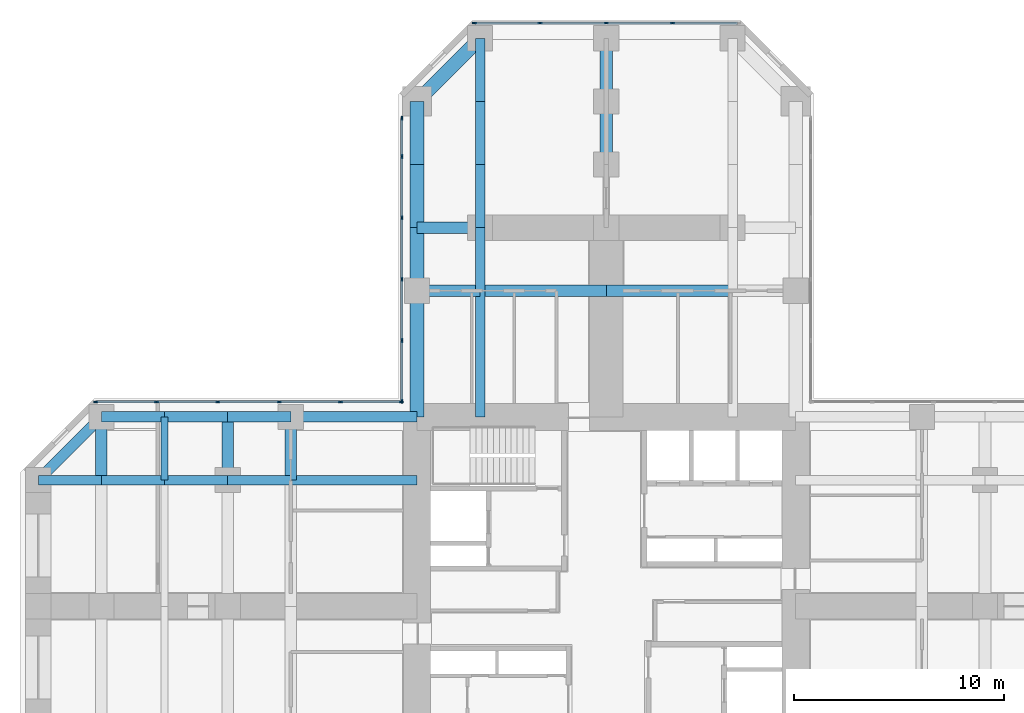
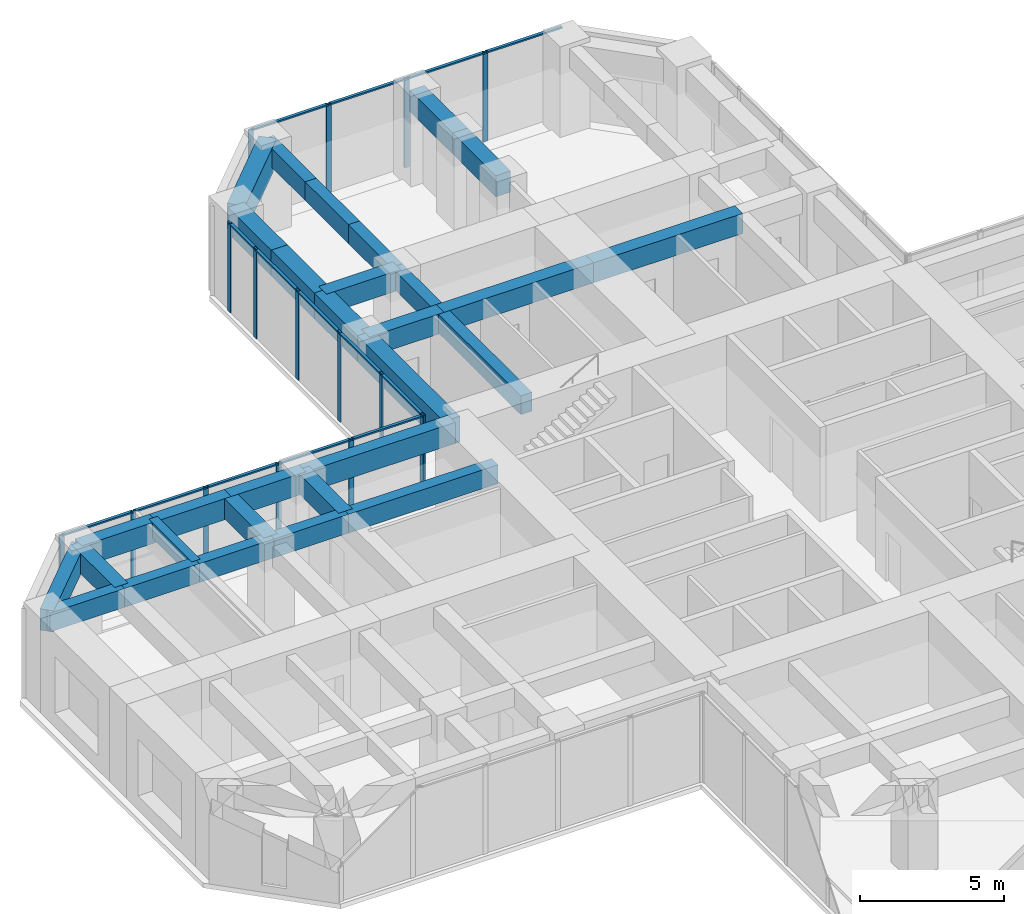
# One storey, part 5 of 12: 30 beams, 30 members, 3 elements without a shape of their own.
"""IFC4 building model written with IfcOpenShell, lengths in metres."""

from ifc_helpers import new_model, si_unit, direction, frame, origin, origin_2d, place, context, subcontext, project, spatial, rectangle, extrude, material, material_profile, profile_set, type_object, element, aggregate, save


model = new_model("IFC4")

# Units and contexts
model_context = context("Model", 3, precision=1e-05, world=origin(), true_north=direction((0.0, 1.0)))
body_context = subcontext(model_context, "Body", "Model", "MODEL_VIEW")
ifc_project = project(units=[si_unit("LENGTHUNIT", "METRE"), si_unit("AREAUNIT", "SQUARE_METRE"), si_unit("VOLUMEUNIT", "CUBIC_METRE"), si_unit("PLANEANGLEUNIT", "RADIAN"), si_unit("MASSUNIT", "GRAM", prefix="KILO")], contexts=[model_context])

# Site, building, storey
site_placement = place(None, origin())
site = spatial("IfcSite", under=ifc_project, at=site_placement, CompositionType="ELEMENT")
building_placement = place(site_placement, origin())
building = spatial("IfcBuilding", under=site, at=building_placement, Name="Torre Cruceta", CompositionType="ELEMENT")
storey_placement = place(building_placement, frame((0.0, 0.0, 87.5)))
storey = spatial("IfcBuildingStorey", under=building, at=storey_placement, Name="L21", CompositionType="ELEMENT", Elevation=87.5)

# Beams
ifc_material_1 = material(Name="Concrete G60 (fck 60 MPa)", Category="concrete")
ifc_material_profile_1 = material_profile(ifc_material_1, rectangle(XDim=0.60009765625, YDim=0.89990234375, at=origin_2d()), Name="RC 600X900")
ifc_profile_set_1 = profile_set([ifc_material_profile_1], Name="Concrete G60 (fck 60 MPa)")
beam_type_1 = type_object("IfcBeamType", Name="ARM CENTRE BEAM RC 600X900", PredefinedType="BEAM", material=ifc_profile_set_1)
for number, where, z_axis, x_axis, name in (
    (1, (0.0, 21.0, 3.35009765625), (0.0, 1.0, 0.0), (-1.0, 0.0, 0.0), "MB3 L21 N centre 1"),
    (2, (0.0, 24.0, 3.35009765625), (0.0, 1.0, 0.0), (-1.0, 0.0, 0.0), "MB3 L21 N centre 2"),
):
    element("IfcBeam", number, at=place(storey_placement, frame(where, z_axis=z_axis, x_axis=x_axis)), inside=storey, type_object=beam_type_1, Name=name, PredefinedType="BEAM", context=body_context, shape_type="SweptSolid", body=[
        extrude(rectangle(XDim=0.60009765625, YDim=0.89990234375, at=origin_2d()), origin(), (0.0, 0.0, 1.0), 3.0),
    ])
ifc_material_2 = material(Name="Concrete G60 (fck 60 MPa)", Category="concrete")
ifc_material_profile_2 = material_profile(ifc_material_2, rectangle(XDim=0.449951171875, YDim=0.800048828125, at=origin_2d()), Name="RC 450X800")
ifc_profile_set_2 = profile_set([ifc_material_profile_2], Name="Concrete G60 (fck 60 MPa)")
beam_type_2 = type_object("IfcBeamType", Name="COLUMN LINE BEAM RC 450X800", PredefinedType="BEAM", material=ifc_profile_set_2)
beam_1_placement = place(storey_placement, frame((-6.0, 9.0, 3.39990234375), z_axis=(0.0, 1.0, 0.0), x_axis=(-1.0, 0.0, 0.0)))
element("IfcBeam", 3, at=beam_1_placement, inside=storey, type_object=beam_type_2, Name="LB1 L21 N col+ 1", PredefinedType="BEAM", context=body_context, shape_type="SweptSolid", body=[
    extrude(rectangle(XDim=0.449951171875, YDim=0.800048828125, at=origin_2d()), origin(), (0.0, 0.0, 1.0), 6.0),
])
for number, where, z_axis, x_axis, name in (
    (4, (-6.0, 15.0, 3.39990234375), (0.0, 1.0, 0.0), (-1.0, 0.0, 0.0), "LB1 L21 N col+ 2"),
    (5, (-6.0, 18.0, 3.39990234375), (0.0, 1.0, 0.0), (-1.0, 0.0, 0.0), "LB1 L21 N col+ 3"),
    (6, (-6.0, 21.0, 3.39990234375), (0.0, 1.0, 0.0), (-1.0, 0.0, 0.0), "LB1 L21 N col+ 4"),
    (7, (-6.0, 24.0, 3.39990234375), (0.0, 1.0, 0.0), (-1.0, 0.0, 0.0), "LB1 L21 N col+ 5"),
):
    element("IfcBeam", number, at=place(storey_placement, frame(where, z_axis=z_axis, x_axis=x_axis)), inside=storey, type_object=beam_type_2, Name=name, PredefinedType="BEAM", context=body_context, shape_type="SweptSolid", body=[
        extrude(rectangle(XDim=0.449951171875, YDim=0.800048828125, at=origin_2d()), origin(), (0.0, 0.0, 1.0), 3.0),
    ])
beam_2_placement = place(storey_placement, frame((-9.0, 6.0, 3.39990234375), z_axis=(-1.0, 0.0, 0.0), x_axis=(0.0, -1.0, 0.0)))
element("IfcBeam", 8, at=beam_2_placement, inside=storey, type_object=beam_type_2, Name="LB1 L21 W col- 1", PredefinedType="BEAM", context=body_context, shape_type="SweptSolid", body=[
    extrude(rectangle(XDim=0.449951171875, YDim=0.800048828125, at=origin_2d()), origin(), (0.0, 0.0, 1.0), 6.0),
])
for number, where, z_axis, x_axis, name in (
    (9, (-15.0, 6.0, 3.39990234375), (-1.0, 0.0, 0.0), (0.0, -1.0, 0.0), "LB1 L21 W col- 2"),
    (10, (-18.0, 6.0, 3.39990234375), (-1.0, 0.0, 0.0), (0.0, -1.0, 0.0), "LB1 L21 W col- 3"),
    (11, (-21.0, 6.0, 3.39990234375), (-1.0, 0.0, 0.0), (0.0, -1.0, 0.0), "LB1 L21 W col- 4"),
    (12, (-24.0, 6.0, 3.39990234375), (-1.0, 0.0, 0.0), (0.0, -1.0, 0.0), "LB1 L21 W col- 5"),
):
    element("IfcBeam", number, at=place(storey_placement, frame(where, z_axis=z_axis, x_axis=x_axis)), inside=storey, type_object=beam_type_2, Name=name, PredefinedType="BEAM", context=body_context, shape_type="SweptSolid", body=[
        extrude(rectangle(XDim=0.449951171875, YDim=0.800048828125, at=origin_2d()), origin(), (0.0, 0.0, 1.0), 3.0),
    ])
ifc_material_3 = material(Name="Concrete G60 (fck 60 MPa)", Category="concrete")
ifc_material_profile_3 = material_profile(ifc_material_3, rectangle(XDim=0.550048828125, YDim=0.85009765625, at=origin_2d()), Name="RC 550X850")
ifc_profile_set_3 = profile_set([ifc_material_profile_3], Name="Concrete G60 (fck 60 MPa)")
beam_type_3 = type_object("IfcBeamType", Name="CROSS BEAM RC 550X850", PredefinedType="BEAM", material=ifc_profile_set_3)
for number, where, z_axis, x_axis, name in (
    (13, (6.0, 15.0, 3.375), (-1.0, 0.0, 0.0), (0.0, -1.0, 0.0), "GB4 L21 N cross15 2"),
    (14, (0.0, 15.0, 3.375), (-1.0, 0.0, 0.0), (0.0, -1.0, 0.0), "GB4 L21 N cross15 3"),
):
    element("IfcBeam", number, at=place(storey_placement, frame(where, z_axis=z_axis, x_axis=x_axis)), inside=storey, type_object=beam_type_3, Name=name, PredefinedType="BEAM", context=body_context, shape_type="SweptSolid", body=[
        extrude(rectangle(XDim=0.550048828125, YDim=0.85009765625, at=origin_2d()), origin(), (0.0, 0.0, 1.0), 6.0),
    ])
for number, where, z_axis, x_axis, name in (
    (15, (-6.0, 15.0, 3.375), (-1.0, 0.0, 0.0), (0.0, -1.0, 0.0), "GB4 L21 N cross15 4"),
    (16, (-6.0, 18.0, 3.375), (-1.0, 0.0, 0.0), (0.0, -1.0, 0.0), "GB4 L21 N cross18b 1"),
    (17, (-15.0, 9.0, 3.375), (0.0, -1.0, 0.0), (1.0, 0.0, 0.0), "GB4 L21 W cross15 1"),
    (18, (-18.0, 9.0, 3.375), (0.0, -1.0, 0.0), (1.0, 0.0, 0.0), "GB4 L21 W cross18 1"),
    (19, (-24.0, 9.0, 3.375), (0.0, -1.0, 0.0), (1.0, 0.0, 0.0), "GB4 L21 W cross24 1"),
):
    element("IfcBeam", number, at=place(storey_placement, frame(where, z_axis=z_axis, x_axis=x_axis)), inside=storey, type_object=beam_type_3, Name=name, PredefinedType="BEAM", context=body_context, shape_type="SweptSolid", body=[
        extrude(rectangle(XDim=0.550048828125, YDim=0.85009765625, at=origin_2d()), origin(), (0.0, 0.0, 1.0), 3.0),
    ])

# Curtain wall, members
ifc_material_4 = material(Name="Aluminium unitised curtain wall", Category="aluminium")
curtain_wall_type = type_object("IfcCurtainWallType", Name="CURTAIN WALL CW-A OFFICE LOW RISE", PredefinedType="USERDEFINED", material=ifc_material_4)
curtain_wall_1_placement = place(storey_placement, origin())
curtain_wall_1 = element("IfcCurtainWall", 20, at=curtain_wall_1_placement, inside=storey, type_object=curtain_wall_type, Name="CW-A L21 N tip 07", ObjectType="UNITISED", PredefinedType="USERDEFINED")
ifc_material_5 = material(Name="Aluminium mullion", Category="aluminium")
ifc_material_profile_4 = material_profile(ifc_material_5, rectangle(XDim=0.06494140625, YDim=0.199951171875, at=origin_2d()), Name="AL 65X200")
ifc_profile_set_4 = profile_set([ifc_material_profile_4], Name="Aluminium mullion")
member_type_1 = type_object("IfcMemberType", Name="CW-A MULLION 65X200", PredefinedType="MULLION", material=ifc_profile_set_4)
member_1_placement = place(storey_placement, frame((3.149169921875, 27.719970703125, 0.0), z_axis=(0.0, 0.0, 1.0), x_axis=(0.0, -1.0, 0.0)))
member_1 = element("IfcMember", 21, at=member_1_placement, type_object=member_type_1, Name="CW-A mullion 2", PredefinedType="MULLION", context=body_context, shape_type="SweptSolid", body=[
    extrude(rectangle(XDim=0.06494140625, YDim=0.199951171875, at=origin_2d()), origin(), (0.0, 0.0, 1.0), 3.800048828125),
])
member_2_placement = place(storey_placement, frame((0.0, 27.719970703125, 0.0), z_axis=(0.0, 0.0, 1.0), x_axis=(0.0, -1.0, 0.0)))
member_2 = element("IfcMember", 22, at=member_2_placement, type_object=member_type_1, Name="CW-A mullion 3", PredefinedType="MULLION", context=body_context, shape_type="SweptSolid", body=[
    extrude(rectangle(XDim=0.06494140625, YDim=0.199951171875, at=origin_2d()), origin(), (0.0, 0.0, 1.0), 3.800048828125),
])
member_3_placement = place(storey_placement, frame((-3.149169921875, 27.719970703125, 0.0), z_axis=(0.0, 0.0, 1.0), x_axis=(0.0, -1.0, 0.0)))
member_3 = element("IfcMember", 23, at=member_3_placement, type_object=member_type_1, Name="CW-A mullion 4", PredefinedType="MULLION", context=body_context, shape_type="SweptSolid", body=[
    extrude(rectangle(XDim=0.06494140625, YDim=0.199951171875, at=origin_2d()), origin(), (0.0, 0.0, 1.0), 3.800048828125),
])
member_4_placement = place(storey_placement, frame((-6.265625, 27.719970703125, 0.0), z_axis=(0.0, 0.0, 1.0), x_axis=(0.0, -1.0, 0.0)))
member_4 = element("IfcMember", 24, at=member_4_placement, type_object=member_type_1, Name="CW-A mullion 5", PredefinedType="MULLION", context=body_context, shape_type="SweptSolid", body=[
    extrude(rectangle(XDim=0.06494140625, YDim=0.199951171875, at=origin_2d()), origin(), (0.0, 0.0, 1.0), 3.800048828125),
])

curtain_wall_2_placement = place(storey_placement, origin())
curtain_wall_2 = element("IfcCurtainWall", 25, at=curtain_wall_2_placement, inside=storey, type_object=curtain_wall_type, Name="CW-A L21 N side 09", ObjectType="UNITISED", PredefinedType="USERDEFINED")
member_5_placement = place(storey_placement, frame((-9.719970703125, 23.198974609375, 0.0), z_axis=(0.0, 0.0, 1.0), x_axis=(1.0, 0.0, 0.0)))
member_5 = element("IfcMember", 26, at=member_5_placement, type_object=member_type_1, Name="CW-A mullion 1", PredefinedType="MULLION", context=body_context, shape_type="SweptSolid", body=[
    extrude(rectangle(XDim=0.06494140625, YDim=0.199951171875, at=origin_2d()), origin(), (0.0, 0.0, 1.0), 3.800048828125),
])
member_6_placement = place(storey_placement, frame((-9.719970703125, 21.382568359375, 0.0), z_axis=(0.0, 0.0, 1.0), x_axis=(1.0, 0.0, 0.0)))
member_6 = element("IfcMember", 27, at=member_6_placement, type_object=member_type_1, Name="CW-A mullion 2", PredefinedType="MULLION", context=body_context, shape_type="SweptSolid", body=[
    extrude(rectangle(XDim=0.06494140625, YDim=0.199951171875, at=origin_2d()), origin(), (0.0, 0.0, 1.0), 3.800048828125),
])
member_7_placement = place(storey_placement, frame((-9.719970703125, 18.467041015625, 0.0), z_axis=(0.0, 0.0, 1.0), x_axis=(1.0, 0.0, 0.0)))
member_7 = element("IfcMember", 28, at=member_7_placement, type_object=member_type_1, Name="CW-A mullion 3", PredefinedType="MULLION", context=body_context, shape_type="SweptSolid", body=[
    extrude(rectangle(XDim=0.06494140625, YDim=0.199951171875, at=origin_2d()), origin(), (0.0, 0.0, 1.0), 3.800048828125),
])
member_8_placement = place(storey_placement, frame((-9.719970703125, 15.55126953125, 0.0), z_axis=(0.0, 0.0, 1.0), x_axis=(1.0, 0.0, 0.0)))
member_8 = element("IfcMember", 29, at=member_8_placement, type_object=member_type_1, Name="CW-A mullion 4", PredefinedType="MULLION", context=body_context, shape_type="SweptSolid", body=[
    extrude(rectangle(XDim=0.06494140625, YDim=0.199951171875, at=origin_2d()), origin(), (0.0, 0.0, 1.0), 3.800048828125),
])
member_9_placement = place(storey_placement, frame((-9.719970703125, 12.6357421875, 0.0), z_axis=(0.0, 0.0, 1.0), x_axis=(1.0, 0.0, 0.0)))
member_9 = element("IfcMember", 30, at=member_9_placement, type_object=member_type_1, Name="CW-A mullion 5", PredefinedType="MULLION", context=body_context, shape_type="SweptSolid", body=[
    extrude(rectangle(XDim=0.06494140625, YDim=0.199951171875, at=origin_2d()), origin(), (0.0, 0.0, 1.0), 3.800048828125),
])
member_10_placement = place(storey_placement, frame((-9.719970703125, 9.75244140625, 0.0), z_axis=(0.0, 0.0, 1.0), x_axis=(1.0, 0.0, 0.0)))
member_10 = element("IfcMember", 31, at=member_10_placement, type_object=member_type_1, Name="CW-A mullion 6", PredefinedType="MULLION", context=body_context, shape_type="SweptSolid", body=[
    extrude(rectangle(XDim=0.06494140625, YDim=0.199951171875, at=origin_2d()), origin(), (0.0, 0.0, 1.0), 3.800048828125),
])

curtain_wall_3_placement = place(storey_placement, origin())
curtain_wall_3 = element("IfcCurtainWall", 32, at=curtain_wall_3_placement, inside=storey, type_object=curtain_wall_type, Name="CW-A L21 W side 10", ObjectType="UNITISED", PredefinedType="USERDEFINED")
member_11_placement = place(storey_placement, frame((-9.75244140625, 9.719970703125, 0.0), z_axis=(0.0, 0.0, 1.0), x_axis=(0.0, -1.0, 0.0)))
member_11 = element("IfcMember", 33, at=member_11_placement, type_object=member_type_1, Name="CW-A mullion 1", PredefinedType="MULLION", context=body_context, shape_type="SweptSolid", body=[
    extrude(rectangle(XDim=0.06494140625, YDim=0.199951171875, at=origin_2d()), origin(), (0.0, 0.0, 1.0), 3.800048828125),
])
member_12_placement = place(storey_placement, frame((-12.6357421875, 9.719970703125, 0.0), z_axis=(0.0, 0.0, 1.0), x_axis=(0.0, -1.0, 0.0)))
member_12 = element("IfcMember", 34, at=member_12_placement, type_object=member_type_1, Name="CW-A mullion 2", PredefinedType="MULLION", context=body_context, shape_type="SweptSolid", body=[
    extrude(rectangle(XDim=0.06494140625, YDim=0.199951171875, at=origin_2d()), origin(), (0.0, 0.0, 1.0), 3.800048828125),
])
member_13_placement = place(storey_placement, frame((-15.55126953125, 9.719970703125, 0.0), z_axis=(0.0, 0.0, 1.0), x_axis=(0.0, -1.0, 0.0)))
member_13 = element("IfcMember", 35, at=member_13_placement, type_object=member_type_1, Name="CW-A mullion 3", PredefinedType="MULLION", context=body_context, shape_type="SweptSolid", body=[
    extrude(rectangle(XDim=0.06494140625, YDim=0.199951171875, at=origin_2d()), origin(), (0.0, 0.0, 1.0), 3.800048828125),
])
member_14_placement = place(storey_placement, frame((-18.467041015625, 9.719970703125, 0.0), z_axis=(0.0, 0.0, 1.0), x_axis=(0.0, -1.0, 0.0)))
member_14 = element("IfcMember", 36, at=member_14_placement, type_object=member_type_1, Name="CW-A mullion 4", PredefinedType="MULLION", context=body_context, shape_type="SweptSolid", body=[
    extrude(rectangle(XDim=0.06494140625, YDim=0.199951171875, at=origin_2d()), origin(), (0.0, 0.0, 1.0), 3.800048828125),
])
member_15_placement = place(storey_placement, frame((-21.382568359375, 9.719970703125, 0.0), z_axis=(0.0, 0.0, 1.0), x_axis=(0.0, -1.0, 0.0)))
member_15 = element("IfcMember", 37, at=member_15_placement, type_object=member_type_1, Name="CW-A mullion 5", PredefinedType="MULLION", context=body_context, shape_type="SweptSolid", body=[
    extrude(rectangle(XDim=0.06494140625, YDim=0.199951171875, at=origin_2d()), origin(), (0.0, 0.0, 1.0), 3.800048828125),
])
member_16_placement = place(storey_placement, frame((-24.265625, 9.719970703125, 0.0), z_axis=(0.0, 0.0, 1.0), x_axis=(0.0, -1.0, 0.0)))
member_16 = element("IfcMember", 38, at=member_16_placement, type_object=member_type_1, Name="CW-A mullion 6", PredefinedType="MULLION", context=body_context, shape_type="SweptSolid", body=[
    extrude(rectangle(XDim=0.06494140625, YDim=0.199951171875, at=origin_2d()), origin(), (0.0, 0.0, 1.0), 3.800048828125),
])

# Member
ifc_material_6 = material(Name="Aluminium transom", Category="aluminium")
ifc_material_profile_5 = material_profile(ifc_material_6, rectangle(XDim=0.1201171875, YDim=0.06494140625, at=origin_2d()), Name="AL 120X65")
ifc_profile_set_5 = profile_set([ifc_material_profile_5], Name="Aluminium transom")
member_type_2 = type_object("IfcMemberType", Name="CW-A TRANSOM 65X120", PredefinedType="USERDEFINED", material=ifc_profile_set_5)
member_17_placement = place(storey_placement, frame((6.233154296875, 27.719970703125, 3.767578125), z_axis=(-1.0, 0.0, 0.0), x_axis=(0.0, -1.0, 0.0)))
member_17 = element("IfcMember", 39, at=member_17_placement, type_object=member_type_2, Name="CW-A transom 1", ObjectType="TRANSOM", PredefinedType="USERDEFINED", context=body_context, shape_type="SweptSolid", body=[
    extrude(rectangle(XDim=0.1201171875, YDim=0.06494140625, at=origin_2d()), origin(), (0.0, 0.0, 1.0), 3.051513671875),
])

member_18_placement = place(storey_placement, frame((3.11669921875, 27.719970703125, 3.767578125), z_axis=(-1.0, 0.0, 0.0), x_axis=(0.0, -1.0, 0.0)))
member_18 = element("IfcMember", 40, at=member_18_placement, type_object=member_type_2, Name="CW-A transom 2", ObjectType="TRANSOM", PredefinedType="USERDEFINED", context=body_context, shape_type="SweptSolid", body=[
    extrude(rectangle(XDim=0.1201171875, YDim=0.06494140625, at=origin_2d()), origin(), (0.0, 0.0, 1.0), 3.084228515625),
])

member_19_placement = place(storey_placement, frame((-0.032470703125, 27.719970703125, 3.767578125), z_axis=(-1.0, 0.0, 0.0), x_axis=(0.0, -1.0, 0.0)))
member_19 = element("IfcMember", 41, at=member_19_placement, type_object=member_type_2, Name="CW-A transom 3", ObjectType="TRANSOM", PredefinedType="USERDEFINED", context=body_context, shape_type="SweptSolid", body=[
    extrude(rectangle(XDim=0.1201171875, YDim=0.06494140625, at=origin_2d()), origin(), (0.0, 0.0, 1.0), 3.084228515625),
])

member_20_placement = place(storey_placement, frame((-3.181640625, 27.719970703125, 3.767578125), z_axis=(-1.0, 0.0, 0.0), x_axis=(0.0, -1.0, 0.0)))
member_20 = element("IfcMember", 42, at=member_20_placement, type_object=member_type_2, Name="CW-A transom 4", ObjectType="TRANSOM", PredefinedType="USERDEFINED", context=body_context, shape_type="SweptSolid", body=[
    extrude(rectangle(XDim=0.1201171875, YDim=0.06494140625, at=origin_2d()), origin(), (0.0, 0.0, 1.0), 3.051513671875),
])

aggregate(curtain_wall_1, [member_1, member_2, member_3, member_4, member_17, member_18, member_19, member_20])

member_21_placement = place(storey_placement, frame((-9.719970703125, 23.16650390625, 3.767578125), z_axis=(0.0, -1.0, 0.0), x_axis=(1.0, 0.0, 0.0)))
member_21 = element("IfcMember", 43, at=member_21_placement, type_object=member_type_2, Name="CW-A transom 1", ObjectType="TRANSOM", PredefinedType="USERDEFINED", context=body_context, shape_type="SweptSolid", body=[
    extrude(rectangle(XDim=0.1201171875, YDim=0.06494140625, at=origin_2d()), origin(), (0.0, 0.0, 1.0), 1.75146484375),
])

member_22_placement = place(storey_placement, frame((-9.719970703125, 21.35009765625, 3.767578125), z_axis=(0.0, -1.0, 0.0), x_axis=(1.0, 0.0, 0.0)))
member_22 = element("IfcMember", 44, at=member_22_placement, type_object=member_type_2, Name="CW-A transom 2", ObjectType="TRANSOM", PredefinedType="USERDEFINED", context=body_context, shape_type="SweptSolid", body=[
    extrude(rectangle(XDim=0.1201171875, YDim=0.06494140625, at=origin_2d()), origin(), (0.0, 0.0, 1.0), 2.8505859375),
])

member_23_placement = place(storey_placement, frame((-9.719970703125, 18.434326171875, 3.767578125), z_axis=(0.0, -1.0, 0.0), x_axis=(1.0, 0.0, 0.0)))
member_23 = element("IfcMember", 45, at=member_23_placement, type_object=member_type_2, Name="CW-A transom 3", ObjectType="TRANSOM", PredefinedType="USERDEFINED", context=body_context, shape_type="SweptSolid", body=[
    extrude(rectangle(XDim=0.1201171875, YDim=0.06494140625, at=origin_2d()), origin(), (0.0, 0.0, 1.0), 2.8505859375),
])

member_24_placement = place(storey_placement, frame((-9.719970703125, 15.518798828125, 3.767578125), z_axis=(0.0, -1.0, 0.0), x_axis=(1.0, 0.0, 0.0)))
member_24 = element("IfcMember", 46, at=member_24_placement, type_object=member_type_2, Name="CW-A transom 4", ObjectType="TRANSOM", PredefinedType="USERDEFINED", context=body_context, shape_type="SweptSolid", body=[
    extrude(rectangle(XDim=0.1201171875, YDim=0.06494140625, at=origin_2d()), origin(), (0.0, 0.0, 1.0), 2.8505859375),
])

member_25_placement = place(storey_placement, frame((-9.719970703125, 12.60302734375, 3.767578125), z_axis=(0.0, -1.0, 0.0), x_axis=(1.0, 0.0, 0.0)))
member_25 = element("IfcMember", 47, at=member_25_placement, type_object=member_type_2, Name="CW-A transom 5", ObjectType="TRANSOM", PredefinedType="USERDEFINED", context=body_context, shape_type="SweptSolid", body=[
    extrude(rectangle(XDim=0.1201171875, YDim=0.06494140625, at=origin_2d()), origin(), (0.0, 0.0, 1.0), 2.818115234375),
])

aggregate(curtain_wall_2, [member_5, member_6, member_7, member_8, member_9, member_10, member_21, member_22, member_23, member_24, member_25])

member_26_placement = place(storey_placement, frame((-9.784912109375, 9.719970703125, 3.767578125), z_axis=(-1.0, 0.0, 0.0), x_axis=(0.0, -1.0, 0.0)))
member_26 = element("IfcMember", 48, at=member_26_placement, type_object=member_type_2, Name="CW-A transom 1", ObjectType="TRANSOM", PredefinedType="USERDEFINED", context=body_context, shape_type="SweptSolid", body=[
    extrude(rectangle(XDim=0.1201171875, YDim=0.06494140625, at=origin_2d()), origin(), (0.0, 0.0, 1.0), 2.818115234375),
])

member_27_placement = place(storey_placement, frame((-12.668212890625, 9.719970703125, 3.767578125), z_axis=(-1.0, 0.0, 0.0), x_axis=(0.0, -1.0, 0.0)))
member_27 = element("IfcMember", 49, at=member_27_placement, type_object=member_type_2, Name="CW-A transom 2", ObjectType="TRANSOM", PredefinedType="USERDEFINED", context=body_context, shape_type="SweptSolid", body=[
    extrude(rectangle(XDim=0.1201171875, YDim=0.06494140625, at=origin_2d()), origin(), (0.0, 0.0, 1.0), 2.8505859375),
])

member_28_placement = place(storey_placement, frame((-15.583740234375, 9.719970703125, 3.767578125), z_axis=(-1.0, 0.0, 0.0), x_axis=(0.0, -1.0, 0.0)))
member_28 = element("IfcMember", 50, at=member_28_placement, type_object=member_type_2, Name="CW-A transom 3", ObjectType="TRANSOM", PredefinedType="USERDEFINED", context=body_context, shape_type="SweptSolid", body=[
    extrude(rectangle(XDim=0.1201171875, YDim=0.06494140625, at=origin_2d()), origin(), (0.0, 0.0, 1.0), 2.8505859375),
])

member_29_placement = place(storey_placement, frame((-18.49951171875, 9.719970703125, 3.767578125), z_axis=(-1.0, 0.0, 0.0), x_axis=(0.0, -1.0, 0.0)))
member_29 = element("IfcMember", 51, at=member_29_placement, type_object=member_type_2, Name="CW-A transom 4", ObjectType="TRANSOM", PredefinedType="USERDEFINED", context=body_context, shape_type="SweptSolid", body=[
    extrude(rectangle(XDim=0.1201171875, YDim=0.06494140625, at=origin_2d()), origin(), (0.0, 0.0, 1.0), 2.8505859375),
])

member_30_placement = place(storey_placement, frame((-21.4150390625, 9.719970703125, 3.767578125), z_axis=(-1.0, 0.0, 0.0), x_axis=(0.0, -1.0, 0.0)))
member_30 = element("IfcMember", 52, at=member_30_placement, type_object=member_type_2, Name="CW-A transom 5", ObjectType="TRANSOM", PredefinedType="USERDEFINED", context=body_context, shape_type="SweptSolid", body=[
    extrude(rectangle(XDim=0.1201171875, YDim=0.06494140625, at=origin_2d()), origin(), (0.0, 0.0, 1.0), 2.818115234375),
])

aggregate(curtain_wall_3, [member_11, member_12, member_13, member_14, member_15, member_16, member_26, member_27, member_28, member_29, member_30])

# Beams
ifc_material_7 = material(Name="Concrete G60 (fck 60 MPa)", Category="concrete")
ifc_material_profile_6 = material_profile(ifc_material_7, rectangle(XDim=0.35009765625, YDim=0.64990234375, at=origin_2d()), Name="RC 350X650")
ifc_profile_set_6 = profile_set([ifc_material_profile_6], Name="Concrete G60 (fck 60 MPa)")
beam_type_4 = type_object("IfcBeamType", Name="SECONDARY BEAM RC 350X650", PredefinedType="JOIST", material=ifc_profile_set_6)
beam_3_placement = place(storey_placement, frame((-21.0, 9.0, 3.47509765625), z_axis=(0.0, -1.0, 0.0), x_axis=(1.0, 0.0, 0.0)))
element("IfcBeam", 53, at=beam_3_placement, inside=storey, type_object=beam_type_4, Name="JB3 L21 W sec21 1", PredefinedType="JOIST", context=body_context, shape_type="SweptSolid", body=[
    extrude(rectangle(XDim=0.35009765625, YDim=0.64990234375, at=origin_2d()), origin(), (0.0, 0.0, 1.0), 3.0),
])
ifc_material_8 = material(Name="Concrete G60 (fck 60 MPa)", Category="concrete")
ifc_material_profile_7 = material_profile(ifc_material_8, rectangle(XDim=0.5, YDim=0.89990234375, at=origin_2d()), Name="RC 500X900")
ifc_profile_set_7 = profile_set([ifc_material_profile_7], Name="Concrete G60 (fck 60 MPa)")
beam_type_5 = type_object("IfcBeamType", Name="SPANDREL BEAM RC 500X900", PredefinedType="SPANDREL", material=ifc_profile_set_7)
beam_4_placement = place(storey_placement, frame((-9.0, 9.0, 3.35009765625), z_axis=(-1.0, 0.0, 0.0), x_axis=(0.0, -1.0, 0.0)))
element("IfcBeam", 54, at=beam_4_placement, inside=storey, type_object=beam_type_5, Name="SB4 L21 W side- 1", PredefinedType="SPANDREL", context=body_context, shape_type="SweptSolid", body=[
    extrude(rectangle(XDim=0.5, YDim=0.89990234375, at=origin_2d()), origin(), (0.0, 0.0, 1.0), 6.0),
])
for number, where, z_axis, x_axis, name in (
    (55, (-15.0, 9.0, 3.35009765625), (-1.0, 0.0, 0.0), (0.0, -1.0, 0.0), "SB4 L21 W side- 2"),
    (56, (-18.0, 9.0, 3.35009765625), (-1.0, 0.0, 0.0), (0.0, -1.0, 0.0), "SB4 L21 W side- 3"),
    (57, (-21.0, 9.0, 3.35009765625), (-1.0, 0.0, 0.0), (0.0, -1.0, 0.0), "SB4 L21 W side- 4"),
):
    element("IfcBeam", number, at=place(storey_placement, frame(where, z_axis=z_axis, x_axis=x_axis)), inside=storey, type_object=beam_type_5, Name=name, PredefinedType="SPANDREL", context=body_context, shape_type="SweptSolid", body=[
        extrude(rectangle(XDim=0.5, YDim=0.89990234375, at=origin_2d()), origin(), (0.0, 0.0, 1.0), 3.0),
    ])
beam_5_placement = place(storey_placement, frame((-24.0, 9.0, 3.35009765625), z_axis=(-0.707106781187, -0.707106781187, 0.0), x_axis=(0.707106781187, -0.707106781187, 0.0)))
element("IfcBeam", 58, at=beam_5_placement, inside=storey, type_object=beam_type_5, Name="SB4 L21 W side- 5", PredefinedType="SPANDREL", context=body_context, shape_type="SweptSolid", body=[
    extrude(rectangle(XDim=0.5, YDim=0.89990234375, at=origin_2d()), origin(), (0.0, 0.0, 1.0), 4.24267578125),
])
ifc_material_9 = material(Name="Concrete G60 (fck 60 MPa)", Category="concrete")
ifc_material_profile_8 = material_profile(ifc_material_9, rectangle(XDim=0.64990234375, YDim=1.10009765625, at=origin_2d()), Name="RC 650X1100")
ifc_profile_set_8 = profile_set([ifc_material_profile_8], Name="Concrete G60 (fck 60 MPa)")
beam_type_6 = type_object("IfcBeamType", Name="SPANDREL BEAM RC 650X1100", PredefinedType="SPANDREL", material=ifc_profile_set_8)
beam_6_placement = place(storey_placement, frame((-9.0, 9.0, 3.25), z_axis=(0.0, 1.0, 0.0), x_axis=(-1.0, 0.0, 0.0)))
element("IfcBeam", 59, at=beam_6_placement, inside=storey, type_object=beam_type_6, Name="SB3 L21 N side+ 1", PredefinedType="SPANDREL", context=body_context, shape_type="SweptSolid", body=[
    extrude(rectangle(XDim=0.64990234375, YDim=1.10009765625, at=origin_2d()), origin(), (0.0, 0.0, 1.0), 6.0),
])
for number, where, z_axis, x_axis, name in (
    (60, (-9.0, 15.0, 3.25), (0.0, 1.0, 0.0), (-1.0, 0.0, 0.0), "SB3 L21 N side+ 2"),
    (61, (-9.0, 18.0, 3.25), (0.0, 1.0, 0.0), (-1.0, 0.0, 0.0), "SB3 L21 N side+ 3"),
    (62, (-9.0, 21.0, 3.25), (0.0, 1.0, 0.0), (-1.0, 0.0, 0.0), "SB3 L21 N side+ 4"),
):
    element("IfcBeam", number, at=place(storey_placement, frame(where, z_axis=z_axis, x_axis=x_axis)), inside=storey, type_object=beam_type_6, Name=name, PredefinedType="SPANDREL", context=body_context, shape_type="SweptSolid", body=[
        extrude(rectangle(XDim=0.64990234375, YDim=1.10009765625, at=origin_2d()), origin(), (0.0, 0.0, 1.0), 3.0),
    ])
beam_7_placement = place(storey_placement, frame((-9.0, 24.0, 3.25), z_axis=(0.707106781187, 0.707106781187, 0.0), x_axis=(-0.707106781187, 0.707106781187, 0.0)))
element("IfcBeam", 63, at=beam_7_placement, inside=storey, type_object=beam_type_6, Name="SB3 L21 N side+ 5", PredefinedType="SPANDREL", context=body_context, shape_type="SweptSolid", body=[
    extrude(rectangle(XDim=0.64990234375, YDim=1.10009765625, at=origin_2d()), origin(), (0.0, 0.0, 1.0), 4.24267578125),
])

save(model, "model.ifc")
